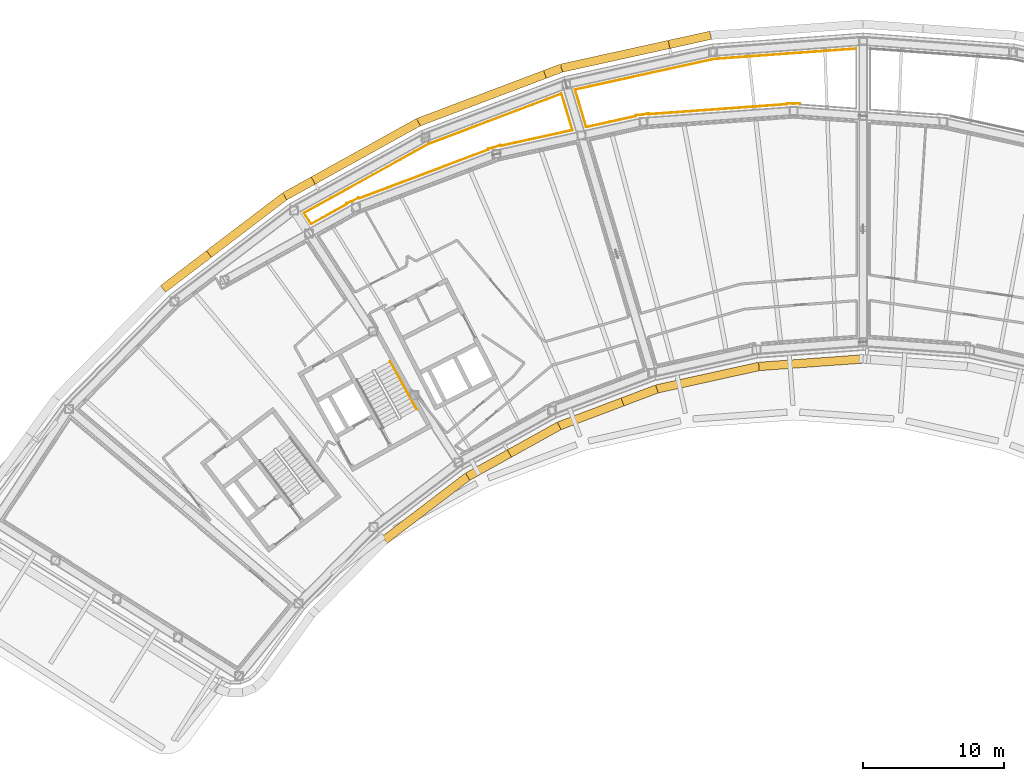
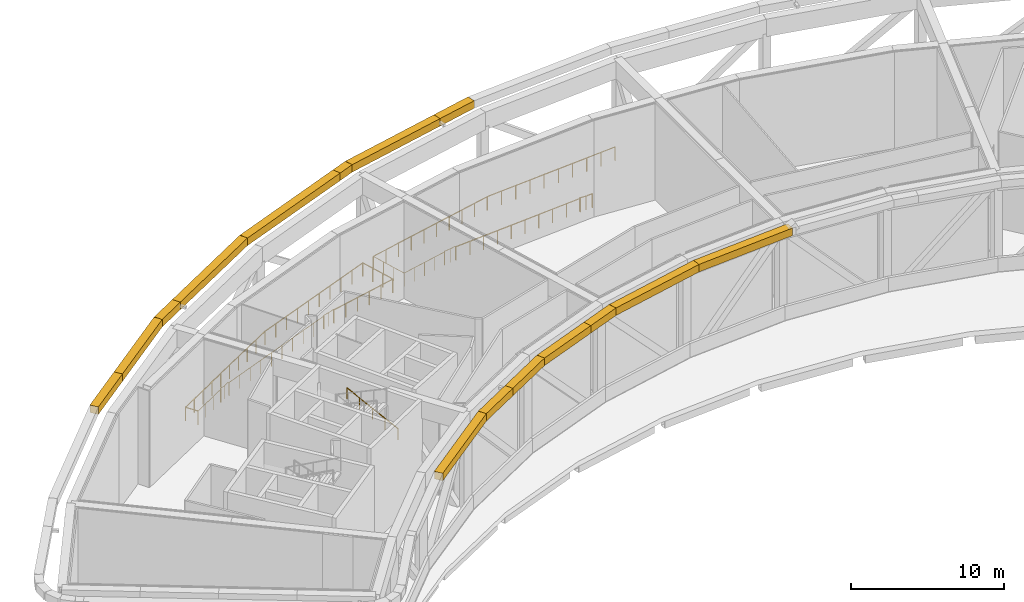
# One storey, part 22 of 27: 15 coverings, 11 railings.
"""IFC4 building model written with IfcOpenShell, lengths in metres."""

from ifc_helpers import new_model, si_unit, direction, frame, origin, origin_2d, place, context, subcontext, project, spatial, rectangle, circle, extrude, material, material_profile, profile_set, type_object, element, save


model = new_model("IFC4")

# Units and contexts
model_context = context("Model", 3, precision=1e-05, world=origin(), true_north=direction((0.0, 1.0)))
body_context = subcontext(model_context, "Body", "Model", "MODEL_VIEW")
ifc_project = project(units=[si_unit("LENGTHUNIT", "METRE"), si_unit("AREAUNIT", "SQUARE_METRE"), si_unit("VOLUMEUNIT", "CUBIC_METRE"), si_unit("PLANEANGLEUNIT", "RADIAN"), si_unit("MASSUNIT", "GRAM", prefix="KILO")], contexts=[model_context])

# Site, building, storey
site_placement = place(None, origin())
site = spatial("IfcSite", under=ifc_project, at=site_placement, CompositionType="ELEMENT")
building_placement = place(site_placement, origin())
building = spatial("IfcBuilding", under=site, at=building_placement, Name="Tuul Gate Civic Tower", CompositionType="ELEMENT")
storey_placement = place(building_placement, frame((0.0, 0.0, 201.5)))
storey = spatial("IfcBuildingStorey", under=building, at=storey_placement, Name="Wind floor 1", CompositionType="ELEMENT", Elevation=201.5)

# Railings
ifc_material_1 = material(Name="Painted steel", Category="steel")
railing_type_1 = type_object("IfcRailingType", Name="Slot guard", PredefinedType="GUARDRAIL", material=ifc_material_1)
railing_1_placement = place(storey_placement, frame((-14.69189453125, 12.2470703125, 0.0)))
element("IfcRailing", 1, at=railing_1_placement, inside=storey, type_object=railing_type_1, Name="Guard", PredefinedType="GUARDRAIL", context=body_context, shape_type="SweptSolid", body=[
    extrude(circle(Radius=0.02392578125, at=origin_2d()), frame((0.0, 0.0, 1.076171875), z_axis=(-0.28520124917, 0.958467655934, 0.0), x_axis=(-0.958467655934, -0.28520124917, 0.0)), (0.0, 0.0, 1.0), 2.703369140625),
    extrude(circle(Radius=0.02099609375, at=origin_2d()), origin(), (0.0, 0.0, 1.0), 1.052001953125),
    extrude(circle(Radius=0.02099609375, at=origin_2d()), frame((-0.257080078125, 0.86376953125, 0.0)), (0.0, 0.0, 1.0), 1.052001953125),
    extrude(circle(Radius=0.02099609375, at=origin_2d()), frame((-0.513916015625, 1.727294921875, 0.0)), (0.0, 0.0, 1.0), 1.052001953125),
    extrude(circle(Radius=0.02099609375, at=origin_2d()), frame((-0.77099609375, 2.591064453125, 0.0)), (0.0, 0.0, 1.0), 1.052001953125),
])
railing_2_placement = place(storey_placement, frame((-15.462890625, 14.838134765625, 0.0)))
element("IfcRailing", 2, at=railing_2_placement, inside=storey, type_object=railing_type_1, Name="Guard", PredefinedType="GUARDRAIL", context=body_context, shape_type="SweptSolid", body=[
    extrude(circle(Radius=0.02392578125, at=origin_2d()), frame((0.0, 0.0, 1.076171875), z_axis=(-0.935347416673, -0.353730420127, 0.0), x_axis=(0.353730420127, -0.935347416673, 0.0)), (0.0, 0.0, 1.0), 10.103759765625),
    extrude(circle(Radius=0.02099609375, at=origin_2d()), origin(), (0.0, 0.0, 1.0), 1.052001953125),
    extrude(circle(Radius=0.02099609375, at=origin_2d()), frame((-1.050048828125, -0.397216796875, 0.0)), (0.0, 0.0, 1.0), 1.052001953125),
    extrude(circle(Radius=0.02099609375, at=origin_2d()), frame((-2.10009765625, -0.794189453125, 0.0)), (0.0, 0.0, 1.0), 1.052001953125),
    extrude(circle(Radius=0.02099609375, at=origin_2d()), frame((-3.150146484375, -1.19140625, 0.0)), (0.0, 0.0, 1.0), 1.052001953125),
    extrude(circle(Radius=0.02099609375, at=origin_2d()), frame((-4.2001953125, -1.58837890625, 0.0)), (0.0, 0.0, 1.0), 1.052001953125),
    extrude(circle(Radius=0.02099609375, at=origin_2d()), frame((-5.250244140625, -1.985595703125, 0.0)), (0.0, 0.0, 1.0), 1.052001953125),
    extrude(circle(Radius=0.02099609375, at=origin_2d()), frame((-6.30029296875, -2.382568359375, 0.0)), (0.0, 0.0, 1.0), 1.052001953125),
    extrude(circle(Radius=0.02099609375, at=origin_2d()), frame((-7.350341796875, -2.77978515625, 0.0)), (0.0, 0.0, 1.0), 1.052001953125),
    extrude(circle(Radius=0.02099609375, at=origin_2d()), frame((-8.400390625, -3.1767578125, 0.0)), (0.0, 0.0, 1.0), 1.052001953125),
    extrude(circle(Radius=0.02099609375, at=origin_2d()), frame((-9.450439453125, -3.573974609375, 0.0)), (0.0, 0.0, 1.0), 1.052001953125),
])
railing_3_placement = place(storey_placement, frame((-24.913330078125, 11.26416015625, 0.0)))
element("IfcRailing", 3, at=railing_3_placement, inside=storey, type_object=railing_type_1, Name="Guard", PredefinedType="GUARDRAIL", context=body_context, shape_type="SweptSolid", body=[
    extrude(circle(Radius=0.02392578125, at=origin_2d()), frame((0.0, 0.0, 1.076171875), z_axis=(-0.874643525029, -0.484766649146, 0.0), x_axis=(0.484766649146, -0.874643525029, 0.0)), (0.0, 0.0, 1.0), 10.103759765625),
    extrude(circle(Radius=0.02392578125, at=origin_2d()), frame((-8.837158203125, -4.89794921875, 1.076171875), z_axis=(0.546755168, -0.837292533267, 0.0), x_axis=(0.837292533267, 0.546755168, 0.0)), (0.0, 0.0, 1.0), 0.931884765625),
    extrude(circle(Radius=0.02099609375, at=origin_2d()), origin(), (0.0, 0.0, 1.0), 1.052001953125),
    extrude(circle(Radius=0.02099609375, at=origin_2d()), frame((-0.98193359375, -0.544189453125, 0.0)), (0.0, 0.0, 1.0), 1.052001953125),
    extrude(circle(Radius=0.02099609375, at=origin_2d()), frame((-1.9638671875, -1.08837890625, 0.0)), (0.0, 0.0, 1.0), 1.052001953125),
    extrude(circle(Radius=0.02099609375, at=origin_2d()), frame((-2.94580078125, -1.632568359375, 0.0)), (0.0, 0.0, 1.0), 1.052001953125),
    extrude(circle(Radius=0.02099609375, at=origin_2d()), frame((-3.927734375, -2.1767578125, 0.0)), (0.0, 0.0, 1.0), 1.052001953125),
    extrude(circle(Radius=0.02099609375, at=origin_2d()), frame((-4.909423828125, -2.72119140625, 0.0)), (0.0, 0.0, 1.0), 1.052001953125),
    extrude(circle(Radius=0.02099609375, at=origin_2d()), frame((-5.891357421875, -3.265380859375, 0.0)), (0.0, 0.0, 1.0), 1.052001953125),
    extrude(circle(Radius=0.02099609375, at=origin_2d()), frame((-6.873291015625, -3.8095703125, 0.0)), (0.0, 0.0, 1.0), 1.052001953125),
    extrude(circle(Radius=0.02099609375, at=origin_2d()), frame((-7.855224609375, -4.353759765625, 0.0)), (0.0, 0.0, 1.0), 1.052001953125),
    extrude(circle(Radius=0.02099609375, at=origin_2d()), frame((-8.837158203125, -4.89794921875, 0.0)), (0.0, 0.0, 1.0), 1.052001953125),
    extrude(circle(Radius=0.02099609375, at=origin_2d()), frame((-8.32763671875, -5.67822265625, 0.0)), (0.0, 0.0, 1.0), 1.052001953125),
])
railing_4_placement = place(storey_placement, frame((-33.240966796875, 5.5859375, 0.0)))
element("IfcRailing", 4, at=railing_4_placement, inside=storey, type_object=railing_type_1, Name="Guard", PredefinedType="GUARDRAIL", context=body_context, shape_type="SweptSolid", body=[
    extrude(circle(Radius=0.02392578125, at=origin_2d()), frame((0.0, 0.0, 1.076171875), z_axis=(0.874599916054, 0.484845322591, 0.0), x_axis=(-0.484845322591, 0.874599916054, 0.0)), (0.0, 0.0, 1.0), 2.911376953125),
    extrude(circle(Radius=0.02392578125, at=origin_2d()), frame((2.54638671875, 1.41162109375, 1.076171875), z_axis=(-0.353892097416, 0.935286257456, 0.0), x_axis=(-0.935286257456, -0.353892097416, 0.0)), (0.0, 0.0, 1.0), 0.067626953125),
    extrude(circle(Radius=0.02392578125, at=origin_2d()), frame((2.5224609375, 1.474853515625, 1.076171875), z_axis=(0.93535216309, 0.353717869216, 0.0), x_axis=(-0.353717869216, 0.93535216309, 0.0)), (0.0, 0.0, 1.0), 0.4638671875),
    extrude(circle(Radius=0.02392578125, at=origin_2d()), frame((2.956298828125, 1.638916015625, 1.076171875), z_axis=(0.874554359178, 0.484927492356, 0.0), x_axis=(-0.484927492356, 0.874554359178, 0.0)), (0.0, 0.0, 1.0), 0.463623046875),
    extrude(circle(Radius=0.02392578125, at=origin_2d()), frame((3.36181640625, 1.86376953125, 1.076171875), z_axis=(0.484414704416, -0.874838496035, 0.0), x_axis=(0.874838496035, 0.484414704416, 0.0)), (0.0, 0.0, 1.0), 0.067626953125),
    extrude(circle(Radius=0.02099609375, at=origin_2d()), origin(), (0.0, 0.0, 1.0), 1.052001953125),
    extrude(circle(Radius=0.02099609375, at=origin_2d()), frame((0.848876953125, 0.470458984375, 0.0)), (0.0, 0.0, 1.0), 1.052001953125),
    extrude(circle(Radius=0.02099609375, at=origin_2d()), frame((1.697509765625, 0.941162109375, 0.0)), (0.0, 0.0, 1.0), 1.052001953125),
    extrude(circle(Radius=0.02099609375, at=origin_2d()), frame((2.54638671875, 1.41162109375, 0.0)), (0.0, 0.0, 1.0), 1.052001953125),
    extrude(circle(Radius=0.02099609375, at=origin_2d()), frame((2.5224609375, 1.474853515625, 0.0)), (0.0, 0.0, 1.0), 1.052001953125),
    extrude(circle(Radius=0.02099609375, at=origin_2d()), frame((2.956298828125, 1.638916015625, 0.0)), (0.0, 0.0, 1.0), 1.052001953125),
    extrude(circle(Radius=0.02099609375, at=origin_2d()), frame((3.36181640625, 1.86376953125, 0.0)), (0.0, 0.0, 1.0), 1.052001953125),
    extrude(circle(Radius=0.02099609375, at=origin_2d()), frame((3.39453125, 1.8046875, 0.0)), (0.0, 0.0, 1.0), 1.052001953125),
])
railing_5_placement = place(storey_placement, frame((-29.846435546875, 7.390625, 0.0)))
element("IfcRailing", 5, at=railing_5_placement, inside=storey, type_object=railing_type_1, Name="Guard", PredefinedType="GUARDRAIL", context=body_context, shape_type="SweptSolid", body=[
    extrude(circle(Radius=0.02392578125, at=origin_2d()), frame((0.0, 0.0, 1.076171875), z_axis=(0.935371701842, 0.353666197696, 0.0), x_axis=(-0.353666197696, 0.935371701842, 0.0)), (0.0, 0.0, 1.0), 9.81201171875),
    extrude(circle(Radius=0.02392578125, at=origin_2d()), frame((9.177978515625, 3.47021484375, 1.076171875), z_axis=(-0.213481055631, 0.976947203736, 0.0), x_axis=(-0.976947203736, -0.213481055631, 0.0)), (0.0, 0.0, 1.0), 0.0673828125),
    extrude(circle(Radius=0.02392578125, at=origin_2d()), frame((9.16357421875, 3.5361328125, 1.076171875), z_axis=(0.97654493923, 0.215313682019, 0.0), x_axis=(-0.215313682019, 0.97654493923, 0.0)), (0.0, 0.0, 1.0), 0.4638671875),
    extrude(circle(Radius=0.02392578125, at=origin_2d()), frame((9.616455078125, 3.635986328125, 1.076171875), z_axis=(0.935526230652, 0.35325723172, 0.0), x_axis=(-0.35325723172, 0.935526230652, 0.0)), (0.0, 0.0, 1.0), 0.463623046875),
    extrude(circle(Radius=0.02392578125, at=origin_2d()), frame((10.05029296875, 3.7998046875, 1.076171875), z_axis=(0.355091110084, -0.934831697975, 0.0), x_axis=(0.934831697975, 0.355091110084, 0.0)), (0.0, 0.0, 1.0), 0.0673828125),
    extrude(circle(Radius=0.02099609375, at=origin_2d()), origin(), (0.0, 0.0, 1.0), 1.052001953125),
    extrude(circle(Radius=0.02099609375, at=origin_2d()), frame((1.019775390625, 0.385498046875, 0.0)), (0.0, 0.0, 1.0), 1.052001953125),
    extrude(circle(Radius=0.02099609375, at=origin_2d()), frame((2.03955078125, 0.771240234375, 0.0)), (0.0, 0.0, 1.0), 1.052001953125),
    extrude(circle(Radius=0.02099609375, at=origin_2d()), frame((3.059326171875, 1.15673828125, 0.0)), (0.0, 0.0, 1.0), 1.052001953125),
    extrude(circle(Radius=0.02099609375, at=origin_2d()), frame((4.0791015625, 1.542236328125, 0.0)), (0.0, 0.0, 1.0), 1.052001953125),
    extrude(circle(Radius=0.02099609375, at=origin_2d()), frame((5.098876953125, 1.927978515625, 0.0)), (0.0, 0.0, 1.0), 1.052001953125),
    extrude(circle(Radius=0.02099609375, at=origin_2d()), frame((6.11865234375, 2.3134765625, 0.0)), (0.0, 0.0, 1.0), 1.052001953125),
    extrude(circle(Radius=0.02099609375, at=origin_2d()), frame((7.138427734375, 2.698974609375, 0.0)), (0.0, 0.0, 1.0), 1.052001953125),
    extrude(circle(Radius=0.02099609375, at=origin_2d()), frame((8.158203125, 3.084716796875, 0.0)), (0.0, 0.0, 1.0), 1.052001953125),
    extrude(circle(Radius=0.02099609375, at=origin_2d()), frame((9.177978515625, 3.47021484375, 0.0)), (0.0, 0.0, 1.0), 1.052001953125),
    extrude(circle(Radius=0.02099609375, at=origin_2d()), frame((9.16357421875, 3.5361328125, 0.0)), (0.0, 0.0, 1.0), 1.052001953125),
    extrude(circle(Radius=0.02099609375, at=origin_2d()), frame((9.616455078125, 3.635986328125, 0.0)), (0.0, 0.0, 1.0), 1.052001953125),
    extrude(circle(Radius=0.02099609375, at=origin_2d()), frame((10.05029296875, 3.7998046875, 0.0)), (0.0, 0.0, 1.0), 1.052001953125),
    extrude(circle(Radius=0.02099609375, at=origin_2d()), frame((10.07421875, 3.73681640625, 0.0)), (0.0, 0.0, 1.0), 1.052001953125),
])
railing_6_placement = place(storey_placement, frame((-19.772216796875, 11.12744140625, 0.0)))
element("IfcRailing", 6, at=railing_6_placement, inside=storey, type_object=railing_type_1, Name="Guard", PredefinedType="GUARDRAIL", context=body_context, shape_type="SweptSolid", body=[
    extrude(circle(Radius=0.02392578125, at=origin_2d()), frame((0.0, 0.0, 1.076171875), z_axis=(0.97656542017, 0.215220770671, 0.0), x_axis=(-0.215220770671, 0.97656542017, 0.0)), (0.0, 0.0, 1.0), 5.2021484375),
    extrude(circle(Radius=0.02099609375, at=origin_2d()), origin(), (0.0, 0.0, 1.0), 1.052001953125),
    extrude(circle(Radius=0.02099609375, at=origin_2d()), frame((1.01611328125, 0.223876953125, 0.0)), (0.0, 0.0, 1.0), 1.052001953125),
    extrude(circle(Radius=0.02099609375, at=origin_2d()), frame((2.0322265625, 0.44775390625, 0.0)), (0.0, 0.0, 1.0), 1.052001953125),
    extrude(circle(Radius=0.02099609375, at=origin_2d()), frame((3.048095703125, 0.671875, 0.0)), (0.0, 0.0, 1.0), 1.052001953125),
    extrude(circle(Radius=0.02099609375, at=origin_2d()), frame((4.064208984375, 0.895751953125, 0.0)), (0.0, 0.0, 1.0), 1.052001953125),
    extrude(circle(Radius=0.02099609375, at=origin_2d()), frame((5.080322265625, 1.11962890625, 0.0)), (0.0, 0.0, 1.0), 1.052001953125),
])
railing_7_placement = place(storey_placement, frame((-14.50439453125, 15.123291015625, 0.0)))
element("IfcRailing", 7, at=railing_7_placement, inside=storey, type_object=railing_type_1, Name="Guard", PredefinedType="GUARDRAIL", context=body_context, shape_type="SweptSolid", body=[
    extrude(circle(Radius=0.02392578125, at=origin_2d()), frame((0.0, 0.0, 1.076171875), z_axis=(0.285241090144, -0.958455799969, 0.0), x_axis=(0.958455799969, 0.285241090144, 0.0)), (0.0, 0.0, 1.0), 2.775634765625),
    extrude(circle(Radius=0.02392578125, at=origin_2d()), frame((0.791748046875, -2.660400390625, 1.076171875), z_axis=(0.976564582075, 0.215224573498, 0.0), x_axis=(-0.215224573498, 0.976564582075, 0.0)), (0.0, 0.0, 1.0), 3.607177734375),
    extrude(circle(Radius=0.02392578125, at=origin_2d()), frame((4.314453125, -1.884033203125, 1.076171875), z_axis=(-0.072274260578, 0.997384795983, 0.0), x_axis=(-0.997384795983, -0.072274260578, 0.0)), (0.0, 0.0, 1.0), 0.067626953125),
    extrude(circle(Radius=0.02392578125, at=origin_2d()), frame((4.3095703125, -1.816650390625, 1.076171875), z_axis=(0.997396879043, 0.072107320543, 0.0), x_axis=(-0.072107320543, 0.997396879043, 0.0)), (0.0, 0.0, 1.0), 0.4638671875),
    extrude(circle(Radius=0.02392578125, at=origin_2d()), frame((4.772216796875, -1.783203125, 1.076171875), z_axis=(0.97654493923, 0.215313682019, 0.0), x_axis=(-0.215313682019, 0.97654493923, 0.0)), (0.0, 0.0, 1.0), 0.4638671875),
    extrude(circle(Radius=0.02392578125, at=origin_2d()), frame((5.22509765625, -1.683349609375, 1.076171875), z_axis=(0.213481055631, -0.976947203736, 0.0), x_axis=(0.976947203736, 0.213481055631, 0.0)), (0.0, 0.0, 1.0), 0.0673828125),
    extrude(circle(Radius=0.02099609375, at=origin_2d()), origin(), (0.0, 0.0, 1.0), 1.052001953125),
    extrude(circle(Radius=0.02099609375, at=origin_2d()), frame((0.263916015625, -0.88671875, 0.0)), (0.0, 0.0, 1.0), 1.052001953125),
    extrude(circle(Radius=0.02099609375, at=origin_2d()), frame((0.52783203125, -1.773681640625, 0.0)), (0.0, 0.0, 1.0), 1.052001953125),
    extrude(circle(Radius=0.02099609375, at=origin_2d()), frame((0.791748046875, -2.660400390625, 0.0)), (0.0, 0.0, 1.0), 1.052001953125),
    extrude(circle(Radius=0.02099609375, at=origin_2d()), frame((1.67236328125, -2.46630859375, 0.0)), (0.0, 0.0, 1.0), 1.052001953125),
    extrude(circle(Radius=0.02099609375, at=origin_2d()), frame((2.55322265625, -2.272216796875, 0.0)), (0.0, 0.0, 1.0), 1.052001953125),
    extrude(circle(Radius=0.02099609375, at=origin_2d()), frame((3.433837890625, -2.078125, 0.0)), (0.0, 0.0, 1.0), 1.052001953125),
    extrude(circle(Radius=0.02099609375, at=origin_2d()), frame((4.314453125, -1.884033203125, 0.0)), (0.0, 0.0, 1.0), 1.052001953125),
    extrude(circle(Radius=0.02099609375, at=origin_2d()), frame((4.3095703125, -1.816650390625, 0.0)), (0.0, 0.0, 1.0), 1.052001953125),
    extrude(circle(Radius=0.02099609375, at=origin_2d()), frame((4.772216796875, -1.783203125, 0.0)), (0.0, 0.0, 1.0), 1.052001953125),
    extrude(circle(Radius=0.02099609375, at=origin_2d()), frame((5.22509765625, -1.683349609375, 0.0)), (0.0, 0.0, 1.0), 1.052001953125),
    extrude(circle(Radius=0.02099609375, at=origin_2d()), frame((5.239501953125, -1.749267578125, 0.0)), (0.0, 0.0, 1.0), 1.052001953125),
])
railing_8_placement = place(storey_placement, frame((-9.264892578125, 13.3740234375, 0.0)))
element("IfcRailing", 8, at=railing_8_placement, inside=storey, type_object=railing_type_1, Name="Guard", PredefinedType="GUARDRAIL", context=body_context, shape_type="SweptSolid", body=[
    extrude(circle(Radius=0.02392578125, at=origin_2d()), frame((0.0, 0.0, 1.076171875), z_axis=(0.997383002251, 0.072299009817, 0.0), x_axis=(-0.072299009817, 0.997383002251, 0.0)), (0.0, 0.0, 1.0), 9.81298828125),
    extrude(circle(Radius=0.02392578125, at=origin_2d()), frame((9.787353515625, 0.70947265625, 1.076171875), z_axis=(0.072274260578, 0.997384795983, 0.0), x_axis=(-0.997384795983, 0.072274260578, 0.0)), (0.0, 0.0, 1.0), 0.067626953125),
    extrude(circle(Radius=0.02392578125, at=origin_2d()), frame((9.792236328125, 0.77685546875, 1.076171875), z_axis=(0.997396879043, -0.072107320543, 0.0), x_axis=(0.072107320543, 0.997396879043, 0.0)), (0.0, 0.0, 1.0), 0.4638671875),
    extrude(circle(Radius=0.02392578125, at=origin_2d()), frame((10.2548828125, 0.743408203125, 1.076171875), z_axis=(0.997396879043, 0.072107320543, 0.0), x_axis=(-0.072107320543, 0.997396879043, 0.0)), (0.0, 0.0, 1.0), 0.4638671875),
    extrude(circle(Radius=0.02392578125, at=origin_2d()), frame((10.717529296875, 0.77685546875, 1.076171875), z_axis=(0.072274260578, -0.997384795983, 0.0), x_axis=(0.997384795983, 0.072274260578, 0.0)), (0.0, 0.0, 1.0), 0.067626953125),
    extrude(circle(Radius=0.02099609375, at=origin_2d()), origin(), (0.0, 0.0, 1.0), 1.052001953125),
    extrude(circle(Radius=0.02099609375, at=origin_2d()), frame((1.08740234375, 0.078857421875, 0.0)), (0.0, 0.0, 1.0), 1.052001953125),
    extrude(circle(Radius=0.02099609375, at=origin_2d()), frame((2.175048828125, 0.15771484375, 0.0)), (0.0, 0.0, 1.0), 1.052001953125),
    extrude(circle(Radius=0.02099609375, at=origin_2d()), frame((3.262451171875, 0.236572265625, 0.0)), (0.0, 0.0, 1.0), 1.052001953125),
    extrude(circle(Radius=0.02099609375, at=origin_2d()), frame((4.349853515625, 0.3154296875, 0.0)), (0.0, 0.0, 1.0), 1.052001953125),
    extrude(circle(Radius=0.02099609375, at=origin_2d()), frame((5.4375, 0.39404296875, 0.0)), (0.0, 0.0, 1.0), 1.052001953125),
    extrude(circle(Radius=0.02099609375, at=origin_2d()), frame((6.52490234375, 0.472900390625, 0.0)), (0.0, 0.0, 1.0), 1.052001953125),
    extrude(circle(Radius=0.02099609375, at=origin_2d()), frame((7.6123046875, 0.5517578125, 0.0)), (0.0, 0.0, 1.0), 1.052001953125),
    extrude(circle(Radius=0.02099609375, at=origin_2d()), frame((8.699951171875, 0.630615234375, 0.0)), (0.0, 0.0, 1.0), 1.052001953125),
    extrude(circle(Radius=0.02099609375, at=origin_2d()), frame((9.787353515625, 0.70947265625, 0.0)), (0.0, 0.0, 1.0), 1.052001953125),
    extrude(circle(Radius=0.02099609375, at=origin_2d()), frame((9.792236328125, 0.77685546875, 0.0)), (0.0, 0.0, 1.0), 1.052001953125),
    extrude(circle(Radius=0.02099609375, at=origin_2d()), frame((10.2548828125, 0.743408203125, 0.0)), (0.0, 0.0, 1.0), 1.052001953125),
    extrude(circle(Radius=0.02099609375, at=origin_2d()), frame((10.717529296875, 0.77685546875, 0.0)), (0.0, 0.0, 1.0), 1.052001953125),
    extrude(circle(Radius=0.02099609375, at=origin_2d()), frame((10.722412109375, 0.70947265625, 0.0)), (0.0, 0.0, 1.0), 1.052001953125),
])
railing_9_placement = place(storey_placement, frame((5.43994140625, 18.027587890625, 0.0)))
element("IfcRailing", 9, at=railing_9_placement, inside=storey, type_object=railing_type_1, Name="Guard", PredefinedType="GUARDRAIL", context=body_context, shape_type="SweptSolid", body=[
    extrude(circle(Radius=0.02392578125, at=origin_2d()), frame((0.0, 0.0, 1.076171875), z_axis=(-0.997388555857, -0.072222355576, 0.0), x_axis=(0.072222355576, -0.997388555857, 0.0)), (0.0, 0.0, 1.0), 10.10400390625),
    extrude(circle(Radius=0.02099609375, at=origin_2d()), origin(), (0.0, 0.0, 1.0), 1.052001953125),
    extrude(circle(Radius=0.02099609375, at=origin_2d()), frame((-1.11962890625, -0.0810546875, 0.0)), (0.0, 0.0, 1.0), 1.052001953125),
    extrude(circle(Radius=0.02099609375, at=origin_2d()), frame((-2.239501953125, -0.162109375, 0.0)), (0.0, 0.0, 1.0), 1.052001953125),
    extrude(circle(Radius=0.02099609375, at=origin_2d()), frame((-3.359130859375, -0.2431640625, 0.0)), (0.0, 0.0, 1.0), 1.052001953125),
    extrude(circle(Radius=0.02099609375, at=origin_2d()), frame((-4.47900390625, -0.32421875, 0.0)), (0.0, 0.0, 1.0), 1.052001953125),
    extrude(circle(Radius=0.02099609375, at=origin_2d()), frame((-5.5986328125, -0.405517578125, 0.0)), (0.0, 0.0, 1.0), 1.052001953125),
    extrude(circle(Radius=0.02099609375, at=origin_2d()), frame((-6.718505859375, -0.486572265625, 0.0)), (0.0, 0.0, 1.0), 1.052001953125),
    extrude(circle(Radius=0.02099609375, at=origin_2d()), frame((-7.838134765625, -0.567626953125, 0.0)), (0.0, 0.0, 1.0), 1.052001953125),
    extrude(circle(Radius=0.02099609375, at=origin_2d()), frame((-8.9580078125, -0.648681640625, 0.0)), (0.0, 0.0, 1.0), 1.052001953125),
    extrude(circle(Radius=0.02099609375, at=origin_2d()), frame((-10.07763671875, -0.729736328125, 0.0)), (0.0, 0.0, 1.0), 1.052001953125),
])
railing_10_placement = place(storey_placement, frame((-4.6376953125, 17.2978515625, 0.0)))
element("IfcRailing", 10, at=railing_10_placement, inside=storey, type_object=railing_type_1, Name="Guard", PredefinedType="GUARDRAIL", context=body_context, shape_type="SweptSolid", body=[
    extrude(circle(Radius=0.02392578125, at=origin_2d()), frame((0.0, 0.0, 1.076171875), z_axis=(-0.976563672886, -0.215228698827, 0.0), x_axis=(0.215228698827, -0.976563672886, 0.0)), (0.0, 0.0, 1.0), 10.103515625),
    extrude(circle(Radius=0.02099609375, at=origin_2d()), origin(), (0.0, 0.0, 1.0), 1.052001953125),
    extrude(circle(Radius=0.02099609375, at=origin_2d()), frame((-1.09619140625, -0.24169921875, 0.0)), (0.0, 0.0, 1.0), 1.052001953125),
    extrude(circle(Radius=0.02099609375, at=origin_2d()), frame((-2.192626953125, -0.483154296875, 0.0)), (0.0, 0.0, 1.0), 1.052001953125),
    extrude(circle(Radius=0.02099609375, at=origin_2d()), frame((-3.288818359375, -0.724853515625, 0.0)), (0.0, 0.0, 1.0), 1.052001953125),
    extrude(circle(Radius=0.02099609375, at=origin_2d()), frame((-4.38525390625, -0.966552734375, 0.0)), (0.0, 0.0, 1.0), 1.052001953125),
    extrude(circle(Radius=0.02099609375, at=origin_2d()), frame((-5.4814453125, -1.2080078125, 0.0)), (0.0, 0.0, 1.0), 1.052001953125),
    extrude(circle(Radius=0.02099609375, at=origin_2d()), frame((-6.577880859375, -1.44970703125, 0.0)), (0.0, 0.0, 1.0), 1.052001953125),
    extrude(circle(Radius=0.02099609375, at=origin_2d()), frame((-7.674072265625, -1.69140625, 0.0)), (0.0, 0.0, 1.0), 1.052001953125),
    extrude(circle(Radius=0.02099609375, at=origin_2d()), frame((-8.7705078125, -1.932861328125, 0.0)), (0.0, 0.0, 1.0), 1.052001953125),
    extrude(circle(Radius=0.02099609375, at=origin_2d()), frame((-9.86669921875, -2.174560546875, 0.0)), (0.0, 0.0, 1.0), 1.052001953125),
])
ifc_material_2 = material(Name="Painted steel", Category="steel")
railing_type_2 = type_object("IfcRailingType", Name="Stair handrail", PredefinedType="HANDRAIL", material=ifc_material_2)
railing_11_placement = place(storey_placement, frame((-25.744873046875, -7.573486328125, 4.142822265625)))
element("IfcRailing", 11, at=railing_11_placement, inside=storey, type_object=railing_type_2, Name="Wind floor 1 ST-2 stair handrail 3", PredefinedType="HANDRAIL", context=body_context, shape_type="SweptSolid", body=[
    extrude(circle(Radius=0.02392578125, at=origin_2d()), frame((0.0, 0.0, 0.8759765625), z_axis=(-0.43767986673, 0.789677569467, 0.429936821567), x_axis=(-0.874641102302, -0.484771020343, 0.0)), (0.0, 0.0, 1.0), 4.319580078125),
    extrude(circle(Radius=0.02099609375, at=origin_2d()), origin(), (0.0, 0.0, 1.0), 0.851806640625),
    extrude(circle(Radius=0.02099609375, at=origin_2d()), frame((-0.47265625, 0.852783203125, 0.46435546875)), (0.0, 0.0, 1.0), 0.851806640625),
    extrude(circle(Radius=0.02099609375, at=origin_2d()), frame((-0.9453125, 1.70556640625, 0.9287109375)), (0.0, 0.0, 1.0), 0.851806640625),
    extrude(circle(Radius=0.02099609375, at=origin_2d()), frame((-1.41796875, 2.558349609375, 1.392822265625)), (0.0, 0.0, 1.0), 0.851806640625),
    extrude(circle(Radius=0.02099609375, at=origin_2d()), frame((-1.890625, 3.4111328125, 1.857177734375)), (0.0, 0.0, 1.0), 0.851806640625),
])

# Coverings
ifc_material_3 = material(Name="Terracotta baguette", Category="masonry")
ifc_material_profile = material_profile(ifc_material_3, rectangle(XDim=0.60009765625, YDim=0.60009765625, at=origin_2d()), Name="Terracotta baguette screen frame")
ifc_profile_set = profile_set([ifc_material_profile], Name="Terracotta baguette")
covering_type = type_object("IfcCoveringType", Name="Terracotta baguette screen frame", PredefinedType="CLADDING", material=ifc_profile_set)
covering_1_placement = place(storey_placement, frame((-7.838623046875, 18.332763671875, 7.64990234375), z_axis=(-0.976567280612, -0.215212328733, 0.0), x_axis=(0.215212328733, -0.976567280612, 0.0)))
element("IfcCovering", 12, at=covering_1_placement, inside=storey, type_object=covering_type, Name="Baguette 87", PredefinedType="CLADDING", context=body_context, shape_type="SweptSolid", body=[
    extrude(rectangle(XDim=0.60009765625, YDim=0.60009765625, at=origin_2d()), origin(), (0.0, 0.0, 1.0), 7.8251953125),
])
covering_2_placement = place(storey_placement, frame((-15.48046875, 16.648681640625, 7.64990234375), z_axis=(-0.935408794723, -0.353568079378, 0.0), x_axis=(0.353568079378, -0.935408794723, 0.0)))
element("IfcCovering", 13, at=covering_2_placement, inside=storey, type_object=covering_type, Name="Baguette 88", PredefinedType="CLADDING", context=body_context, shape_type="SweptSolid", body=[
    extrude(rectangle(XDim=0.60009765625, YDim=0.60009765625, at=origin_2d()), origin(), (0.0, 0.0, 1.0), 1.2470703125),
])
covering_3_placement = place(storey_placement, frame((-33.10009765625, 8.67041015625, 7.64990234375), z_axis=(-0.874590710613, -0.484861927675, 0.0), x_axis=(0.484861927675, -0.874590710613, 0.0)))
element("IfcCovering", 14, at=covering_3_placement, inside=storey, type_object=covering_type, Name="Baguette 105", PredefinedType="CLADDING", context=body_context, shape_type="SweptSolid", body=[
    extrude(rectangle(XDim=0.60009765625, YDim=0.60009765625, at=origin_2d()), origin(), (0.0, 0.0, 1.0), 2.3095703125),
])
covering_4_placement = place(storey_placement, frame((-35.1201171875, 7.550537109375, 7.64990234375), z_axis=(-0.795616483898, -0.605800635977, 0.0), x_axis=(0.605800635977, -0.795616483898, 0.0)))
element("IfcCovering", 15, at=covering_4_placement, inside=storey, type_object=covering_type, Name="Baguette 106", PredefinedType="CLADDING", context=body_context, shape_type="SweptSolid", body=[
    extrude(rectangle(XDim=0.60009765625, YDim=0.60009765625, at=origin_2d()), origin(), (0.0, 0.0, 1.0), 6.762939453125),
])
covering_5_placement = place(storey_placement, frame((-19.17431640625, -10.7080078125, 7.64990234375), z_axis=(0.874607276747, 0.484832044589, 0.0), x_axis=(-0.484832044589, 0.874607276747, 0.0)))
element("IfcCovering", 16, at=covering_5_placement, inside=storey, type_object=covering_type, Name="Baguette 194", PredefinedType="CLADDING", context=body_context, shape_type="SweptSolid", body=[
    extrude(rectangle(XDim=0.60009765625, YDim=0.60009765625, at=origin_2d()), origin(), (0.0, 0.0, 1.0), 4.0400390625),
])
covering_6_placement = place(storey_placement, frame((-15.640869140625, -8.749267578125, 7.64990234375), z_axis=(0.93536656786, 0.353679775686, 0.0), x_axis=(-0.353679775686, 0.93536656786, 0.0)))
element("IfcCovering", 17, at=covering_6_placement, inside=storey, type_object=covering_type, Name="Baguette 195", PredefinedType="CLADDING", context=body_context, shape_type="SweptSolid", body=[
    extrude(rectangle(XDim=0.60009765625, YDim=0.60009765625, at=origin_2d()), origin(), (0.0, 0.0, 1.0), 4.81201171875),
])
covering_7_placement = place(storey_placement, frame((-4.88330078125, 18.984130859375, 7.64990234375), z_axis=(-0.976561441984, -0.215238820918, 0.0), x_axis=(0.215238820918, -0.976561441984, 0.0)))
element("IfcCovering", 18, at=covering_7_placement, inside=storey, type_object=covering_type, Name="Baguette 383", PredefinedType="CLADDING", context=body_context, shape_type="SweptSolid", body=[
    extrude(rectangle(XDim=0.60009765625, YDim=0.60009765625, at=origin_2d()), origin(), (0.0, 0.0, 1.0), 3.0263671875),
])
covering_8_placement = place(storey_placement, frame((-16.64697265625, 16.207763671875, 7.64990234375), z_axis=(-0.935374009071, -0.353660095507, 0.0), x_axis=(0.353660095507, -0.935374009071, 0.0)))
element("IfcCovering", 19, at=covering_8_placement, inside=storey, type_object=covering_type, Name="Baguette 384", PredefinedType="CLADDING", context=body_context, shape_type="SweptSolid", body=[
    extrude(rectangle(XDim=0.60009765625, YDim=0.60009765625, at=origin_2d()), origin(), (0.0, 0.0, 1.0), 9.603759765625),
])
covering_9_placement = place(storey_placement, frame((-25.630126953125, 12.811279296875, 7.64990234375), z_axis=(-0.874609938288, -0.484827243302, 0.0), x_axis=(0.484827243302, -0.874609938288, 0.0)))
element("IfcCovering", 20, at=covering_9_placement, inside=storey, type_object=covering_type, Name="Baguette 385", PredefinedType="CLADDING", context=body_context, shape_type="SweptSolid", body=[
    extrude(rectangle(XDim=0.60009765625, YDim=0.60009765625, at=origin_2d()), origin(), (0.0, 0.0, 1.0), 8.541015625),
])
covering_10_placement = place(storey_placement, frame((-40.500732421875, 3.45361328125, 7.64990234375), z_axis=(-0.79562221551, -0.605793108402, 0.0), x_axis=(0.605793108402, -0.79562221551, 0.0)))
element("IfcCovering", 21, at=covering_10_placement, inside=storey, type_object=covering_type, Name="Baguette 386", PredefinedType="CLADDING", context=body_context, shape_type="SweptSolid", body=[
    extrude(rectangle(XDim=0.60009765625, YDim=0.60009765625, at=origin_2d()), origin(), (0.0, 0.0, 1.0), 4.088623046875),
])
covering_11_placement = place(storey_placement, frame((-28.030517578125, -16.83984375, 7.64990234375), z_axis=(0.795582797942, 0.60584487422, 0.0), x_axis=(-0.60584487422, 0.795582797942, 0.0)))
element("IfcCovering", 22, at=covering_11_placement, inside=storey, type_object=covering_type, Name="Baguette 391", PredefinedType="CLADDING", context=body_context, shape_type="SweptSolid", body=[
    extrude(rectangle(XDim=0.60009765625, YDim=0.60009765625, at=origin_2d()), origin(), (0.0, 0.0, 1.0), 7.41796875),
])
covering_12_placement = place(storey_placement, frame((-22.12890625, -12.345703125, 7.64990234375), z_axis=(0.874627311246, 0.484795901821, 0.0), x_axis=(-0.484795901821, 0.874627311246, 0.0)))
element("IfcCovering", 23, at=covering_12_placement, inside=storey, type_object=covering_type, Name="Baguette 392", PredefinedType="CLADDING", context=body_context, shape_type="SweptSolid", body=[
    extrude(rectangle(XDim=0.60009765625, YDim=0.60009765625, at=origin_2d()), origin(), (0.0, 0.0, 1.0), 3.378173828125),
])
covering_13_placement = place(storey_placement, frame((-11.139892578125, -7.04736328125, 7.64990234375), z_axis=(0.935370878241, 0.353668375938, 0.0), x_axis=(-0.353668375938, 0.935370878241, 0.0)))
element("IfcCovering", 24, at=covering_13_placement, inside=storey, type_object=covering_type, Name="Baguette 393", PredefinedType="CLADDING", context=body_context, shape_type="SweptSolid", body=[
    extrude(rectangle(XDim=0.60009765625, YDim=0.60009765625, at=origin_2d()), origin(), (0.0, 0.0, 1.0), 2.60595703125),
])
covering_14_placement = place(storey_placement, frame((-8.702392578125, -6.125732421875, 7.64990234375), z_axis=(0.976557361117, 0.215257335413, 0.0), x_axis=(-0.215257335413, 0.976557361117, 0.0)))
element("IfcCovering", 25, at=covering_14_placement, inside=storey, type_object=covering_type, Name="Baguette 394", PredefinedType="CLADDING", context=body_context, shape_type="SweptSolid", body=[
    extrude(rectangle(XDim=0.60009765625, YDim=0.60009765625, at=origin_2d()), origin(), (0.0, 0.0, 1.0), 7.41748046875),
])
covering_15_placement = place(storey_placement, frame((-1.458740234375, -4.529052734375, 7.64990234375), z_axis=(0.997394311548, 0.072142825637, 0.0), x_axis=(-0.072142825637, 0.997394311548, 0.0)))
element("IfcCovering", 26, at=covering_15_placement, inside=storey, type_object=covering_type, Name="Baguette 395", PredefinedType="CLADDING", context=body_context, shape_type="SweptSolid", body=[
    extrude(rectangle(XDim=0.60009765625, YDim=0.60009765625, at=origin_2d()), origin(), (0.0, 0.0, 1.0), 7.41796875),
])

save(model, "model.ifc")
